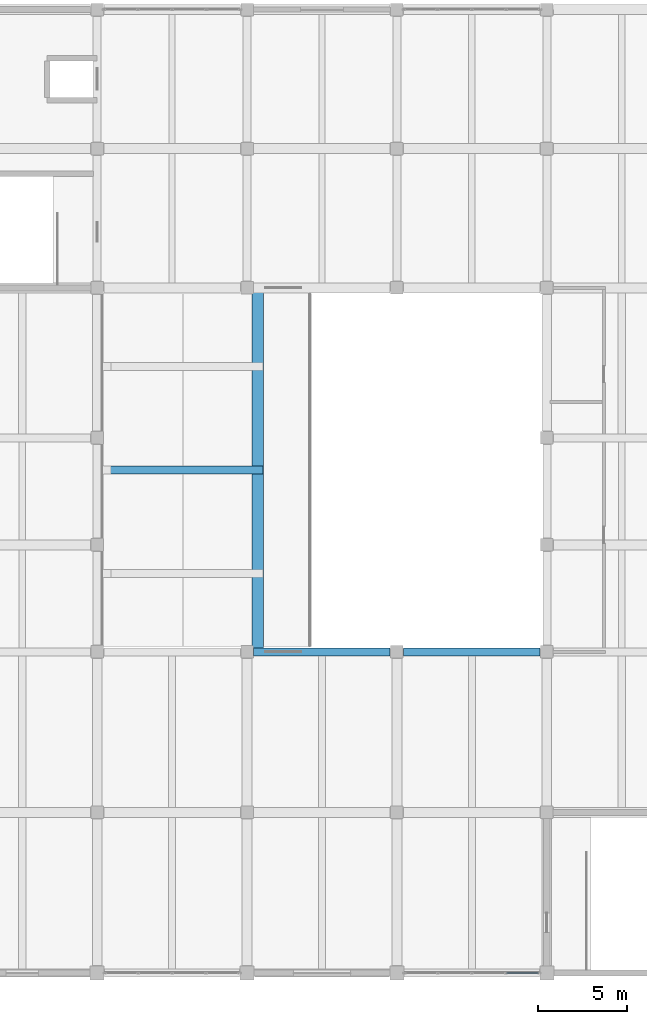
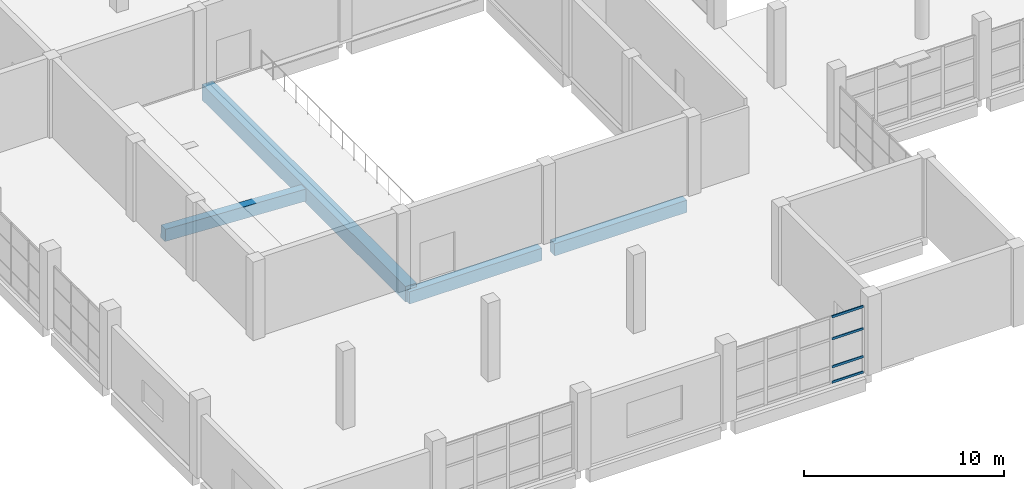
# One storey, part 12 of 91: 4 beams, 4 members, 1 element without a shape of its own.
"""IFC4 building model written with IfcOpenShell, lengths in metres."""

from ifc_helpers import new_model, si_unit, direction, frame, origin, origin_2d, place, context, subcontext, project, spatial, rectangle, hollow_rectangle, extrude, material, material_profile, profile_set, type_object, element, aggregate, save


model = new_model("IFC4")

# Units and contexts
model_context = context("Model", 3, precision=1e-05, world=origin(), true_north=direction((0.0, 1.0)))
body_context = subcontext(model_context, "Body", "Model", "MODEL_VIEW")
ifc_project = project(units=[si_unit("LENGTHUNIT", "METRE"), si_unit("AREAUNIT", "SQUARE_METRE"), si_unit("VOLUMEUNIT", "CUBIC_METRE"), si_unit("PLANEANGLEUNIT", "RADIAN"), si_unit("MASSUNIT", "GRAM", prefix="KILO")], contexts=[model_context])

# Site, building, storey
site_placement = place(None, origin())
site = spatial("IfcSite", under=ifc_project, at=site_placement, CompositionType="ELEMENT")
building_placement = place(site_placement, origin())
building = spatial("IfcBuilding", under=site, at=building_placement, Name="Pellamere Symphony Hall", CompositionType="ELEMENT")
storey_placement = place(building_placement, frame((0.0, 0.0, 5.39990234375)))
storey = spatial("IfcBuildingStorey", under=building, at=storey_placement, Name="L01", CompositionType="ELEMENT", Elevation=5.39990234375)

# Curtain wall, members
ifc_material_1 = material(Name="Thermally Broken Anodised Aluminium 6063-T6 Curtain Wall", Category="aluminium")
curtain_wall_type = type_object("IfcCurtainWallType", Name="Curtain Wall CW-04 (Chamber Music Lobby Curtain Wall)", PredefinedType="NOTDEFINED", material=ifc_material_1)
curtain_wall_placement = place(storey_placement, origin())
curtain_wall = element("IfcCurtainWall", 1, at=curtain_wall_placement, inside=storey, type_object=curtain_wall_type, Name="Chamber Lobby South Curtain Wall (L01 Bay 2)", PredefinedType="NOTDEFINED")
ifc_material_2 = material(Name="Anodised Architectural Aluminium 6063-T6", Category="aluminium")
ifc_material_profile_1 = material_profile(ifc_material_2, hollow_rectangle(XDim=0.06494140625, YDim=0.139892578125, WallThickness=0.00390625, at=origin_2d()), Name="ALU-T65X140X4")
ifc_profile_set_1 = profile_set([ifc_material_profile_1], Name="Anodised Architectural Aluminium 6063-T6")
member_type = type_object("IfcMemberType", Name="Curtain Wall Transom TR-02 ALU-T65X140X4", PredefinedType="USERDEFINED", material=ifc_profile_set_1)
member_1_placement = place(storey_placement, frame((31.33740234375, 0.0, 0.03271484375), z_axis=(1.0, 0.0, 0.0), x_axis=(0.0, 1.0, 0.0)))
member_1 = element("IfcMember", 2, at=member_1_placement, type_object=member_type, Name="CW4-115 crystal transom 4.1", ObjectType="TRANSOM", PredefinedType="USERDEFINED", context=body_context, shape_type="SweptSolid", body=[
    extrude(hollow_rectangle(XDim=0.06494140625, YDim=0.139892578125, WallThickness=0.00390625, at=origin_2d()), origin(), (0.0, 0.0, 1.0), 1.8076171875),
])
member_2_placement = place(storey_placement, frame((31.33740234375, 0.0, 0.975341796875), z_axis=(1.0, 0.0, 0.0), x_axis=(0.0, 1.0, 0.0)))
member_2 = element("IfcMember", 3, at=member_2_placement, type_object=member_type, Name="CW4-115 crystal transom 4.2", ObjectType="TRANSOM", PredefinedType="USERDEFINED", context=body_context, shape_type="SweptSolid", body=[
    extrude(hollow_rectangle(XDim=0.06494140625, YDim=0.139892578125, WallThickness=0.00390625, at=origin_2d()), origin(), (0.0, 0.0, 1.0), 1.8076171875),
])
member_3_placement = place(storey_placement, frame((31.33740234375, 0.0, 2.682373046875), z_axis=(1.0, 0.0, 0.0), x_axis=(0.0, 1.0, 0.0)))
member_3 = element("IfcMember", 4, at=member_3_placement, type_object=member_type, Name="CW4-115 crystal transom 4.3", ObjectType="TRANSOM", PredefinedType="USERDEFINED", context=body_context, shape_type="SweptSolid", body=[
    extrude(hollow_rectangle(XDim=0.06494140625, YDim=0.139892578125, WallThickness=0.00390625, at=origin_2d()), origin(), (0.0, 0.0, 1.0), 1.8076171875),
])
member_4_placement = place(storey_placement, frame((31.33740234375, 0.0, 4.031494140625), z_axis=(1.0, 0.0, 0.0), x_axis=(0.0, 1.0, 0.0)))
member_4 = element("IfcMember", 5, at=member_4_placement, type_object=member_type, Name="CW4-115 crystal transom 4.4", ObjectType="TRANSOM", PredefinedType="USERDEFINED", context=body_context, shape_type="SweptSolid", body=[
    extrude(hollow_rectangle(XDim=0.06494140625, YDim=0.139892578125, WallThickness=0.00390625, at=origin_2d()), origin(), (0.0, 0.0, 1.0), 1.8076171875),
])
aggregate(curtain_wall, [member_1, member_2, member_3, member_4])

# Beams
ifc_material_3 = material(Name="Concrete 40 MPa", Category="concrete")
ifc_material_profile_2 = material_profile(ifc_material_3, rectangle(XDim=0.64990234375, YDim=0.949951171875, at=origin_2d()), Name="RC 650x950")
ifc_profile_set_2 = profile_set([ifc_material_profile_2], Name="Concrete 40 MPa")
beam_type_1 = type_object("IfcBeamType", Name="RC CB-03 650x950", PredefinedType="BEAM", material=ifc_profile_set_2)
beam_1_placement = place(storey_placement, frame((17.39990234375, 18.0, -0.52978515625), z_axis=(0.0, 1.0, 0.0), x_axis=(-1.0, 0.0, 0.0)))
element("IfcBeam", 6, at=beam_1_placement, inside=storey, type_object=beam_type_1, Name="Stand Chamber Gallery Raker Support Girder 68", PredefinedType="BEAM", context=body_context, shape_type="SweptSolid", body=[
    extrude(rectangle(XDim=0.64990234375, YDim=0.949951171875, at=origin_2d()), origin(), (0.0, 0.0, 1.0), 20.39990234375),
])
ifc_material_profile_3 = material_profile(ifc_material_3, rectangle(XDim=0.449951171875, YDim=0.75, at=origin_2d()), Name="RC 450x750")
ifc_profile_set_3 = profile_set([ifc_material_profile_3], Name="Concrete 40 MPa")
beam_type_2 = type_object("IfcBeamType", Name="RC CB-12 450x750", PredefinedType="SPANDREL", material=ifc_profile_set_3)
beam_2_placement = place(storey_placement, frame((17.175048828125, 18.0, -0.65478515625), z_axis=(1.0, 0.0, 0.0), x_axis=(0.0, 1.0, 0.0)))
element("IfcBeam", 7, at=beam_2_placement, inside=storey, type_object=beam_type_2, Name="Girder CB-12-X0544 (L01)", PredefinedType="SPANDREL", context=body_context, shape_type="SweptSolid", body=[
    extrude(rectangle(XDim=0.449951171875, YDim=0.75, at=origin_2d()), origin(), (0.0, 0.0, 1.0), 7.64990234375),
])
beam_3_placement = place(storey_placement, frame((25.574951171875, 18.0, -0.65478515625), z_axis=(1.0, 0.0, 0.0), x_axis=(0.0, 1.0, 0.0)))
element("IfcBeam", 8, at=beam_3_placement, inside=storey, type_object=beam_type_2, Name="Girder CB-12-X0545 (L01)", PredefinedType="SPANDREL", context=body_context, shape_type="SweptSolid", body=[
    extrude(rectangle(XDim=0.449951171875, YDim=0.75, at=origin_2d()), origin(), (0.0, 0.0, 1.0), 7.650146484375),
])
ifc_material_profile_4 = material_profile(ifc_material_3, rectangle(XDim=0.4599609375, YDim=0.739990234375, at=origin_2d()), Name="RC 460x740")
ifc_profile_set_4 = profile_set([ifc_material_profile_4], Name="Concrete 40 MPa")
beam_type_3 = type_object("IfcBeamType", Name="RC RK-04 460x740", PredefinedType="BEAM", material=ifc_profile_set_4)
beam_4_placement = place(storey_placement, frame((17.675048828125, 28.199951171875, -0.52978515625), z_axis=(-0.998951294076, 0.0, 0.045785500579), x_axis=(0.0, -1.0, 0.0)))
element("IfcBeam", 9, at=beam_4_placement, inside=storey, type_object=beam_type_3, Name="Stand Chamber Gallery Raker Beam RK-04-070", PredefinedType="BEAM", context=body_context, shape_type="SweptSolid", body=[
    extrude(rectangle(XDim=0.4599609375, YDim=0.739990234375, at=origin_2d()), origin(), (0.0, 0.0, 1.0), 8.734375),
])

save(model, "model.ifc")
